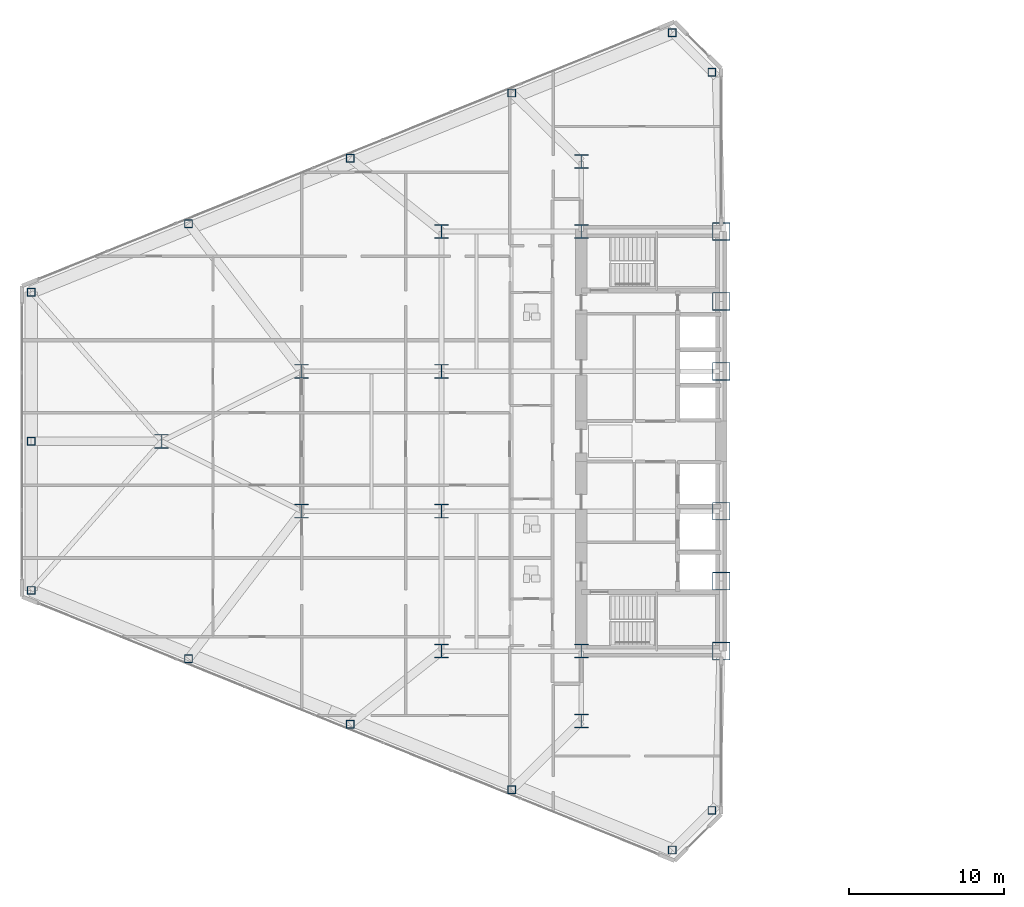
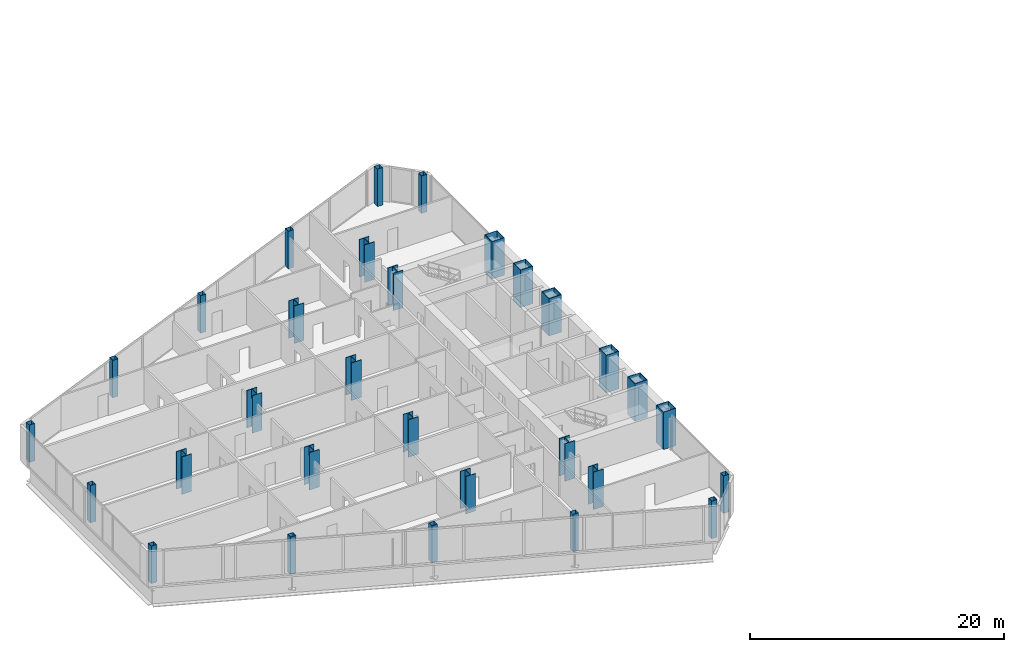
# One storey, part 1 of 26: 30 columns.
"""IFC4 building model written with IfcOpenShell, lengths in metres."""

from ifc_helpers import new_model, si_unit, direction, frame, origin, origin_2d, place, context, subcontext, project, spatial, hollow_rectangle, i_section, extrude, source, transform, mapped, material, material_profile, profile_set, type_object, type_shapes, element, save


model = new_model("IFC4")

# Units and contexts
model_context = context("Model", 3, precision=1e-05, world=origin(), true_north=direction((0.0, 1.0)))
body_context = subcontext(model_context, "Body", "Model", "MODEL_VIEW")
ifc_project = project(units=[si_unit("LENGTHUNIT", "METRE"), si_unit("AREAUNIT", "SQUARE_METRE"), si_unit("VOLUMEUNIT", "CUBIC_METRE"), si_unit("PLANEANGLEUNIT", "RADIAN"), si_unit("MASSUNIT", "GRAM", prefix="KILO")], contexts=[model_context])

# Site, building, storey
site_placement = place(None, origin())
site = spatial("IfcSite", under=ifc_project, at=site_placement, CompositionType="ELEMENT")
building_placement = place(site_placement, origin())
building = spatial("IfcBuilding", under=site, at=building_placement, Name="Seokmaru Belvedere", CompositionType="ELEMENT")
storey_placement = place(building_placement, frame((0.0, 0.0, 18.89990234375)))
storey = spatial("IfcBuildingStorey", under=building, at=storey_placement, Name="L04", CompositionType="ELEMENT", Elevation=18.89990234375)

# Columns
ifc_material_1 = material(Name="Steel HSA650 (650 MPa)", Category="steel")
ifc_material_profile_1 = material_profile(ifc_material_1, hollow_rectangle(XDim=1.14990234375, YDim=1.14990234375, WallThickness=0.048095703125, at=origin_2d()), Name="BOX-1150x1150x48")
ifc_profile_set_1 = profile_set([ifc_material_profile_1], Name="Steel HSA650 (650 MPa)")
column_type_1 = type_object("IfcColumnType", Name="Portal Spine Column BOX-1150", PredefinedType="COLUMN", material=ifc_profile_set_1)
shared_shape_1 = source(origin(), body_context, "Body", "SweptSolid", [
    extrude(hollow_rectangle(XDim=1.14990234375, YDim=1.14990234375, WallThickness=0.048095703125, at=origin_2d()), origin(), (0.0, 0.0, 1.0), 3.60009765625),
])
type_shapes(column_type_1, [shared_shape_1])
for number, where, z_axis, x_axis, name in (
    (1, (-27.5, -13.5, 0.0), (0.0, 0.0, 1.0), (1.0, 0.0, 0.0), "L04 Column WS1"),
    (2, (-27.5, -9.0, 0.0), (0.0, 0.0, 1.0), (1.0, 0.0, 0.0), "L04 Column WS2"),
    (3, (-27.5, -4.5, 0.0), (0.0, 0.0, 1.0), (1.0, 0.0, 0.0), "L04 Column WS3"),
    (4, (-27.5, 4.5, 0.0), (0.0, 0.0, 1.0), (1.0, 0.0, 0.0), "L04 Column WS4"),
    (5, (-27.5, 9.0, 0.0), (0.0, 0.0, 1.0), (1.0, 0.0, 0.0), "L04 Column WS5"),
    (6, (-27.5, 13.5, 0.0), (0.0, 0.0, 1.0), (1.0, 0.0, 0.0), "L04 Column WS6"),
):
    element("IfcColumn", number, at=place(storey_placement, frame(where, z_axis=z_axis, x_axis=x_axis)), inside=storey, type_object=column_type_1, Name=name, PredefinedType="COLUMN", context=body_context, shape_type="MappedRepresentation", body=[
        mapped(shared_shape_1, transform((0.0, 0.0, 0.0), scale=1.0)),
    ])
ifc_material_profile_2 = material_profile(ifc_material_1, i_section(OverallWidth=0.89990234375, OverallDepth=0.89990234375, WebThickness=0.035888671875, FlangeThickness=0.054931640625, at=origin_2d()), Name="H-900x900x36x55")
ifc_profile_set_2 = profile_set([ifc_material_profile_2], Name="Steel HSA650 (650 MPa)")
column_type_2 = type_object("IfcColumnType", Name="Lower Interior Column H-900", PredefinedType="COLUMN", material=ifc_profile_set_2)
shared_shape_2 = source(origin(), body_context, "Body", "SweptSolid", [
    extrude(i_section(OverallWidth=0.89990234375, OverallDepth=0.89990234375, WebThickness=0.035888671875, FlangeThickness=0.054931640625, at=origin_2d()), origin(), (0.0, 0.0, 1.0), 3.60009765625),
])
type_shapes(column_type_2, [shared_shape_2])
for number, where, z_axis, x_axis, name in (
    (7, (-36.5, -18.0, 0.0), (0.0, 0.0, 1.0), (1.0, 0.0, 0.0), "L04 Column WC1"),
    (8, (-36.5, -13.5, 0.0), (0.0, 0.0, 1.0), (1.0, 0.0, 0.0), "L04 Column WC2"),
    (9, (-36.5, 13.5, 0.0), (0.0, 0.0, 1.0), (1.0, 0.0, 0.0), "L04 Column WC3"),
    (10, (-36.5, 18.0, 0.0), (0.0, 0.0, 1.0), (1.0, 0.0, 0.0), "L04 Column WC4"),
    (11, (-45.5, -13.5, 0.0), (0.0, 0.0, 1.0), (1.0, 0.0, 0.0), "L04 Column WG5_1"),
    (12, (-45.5, -4.5, 0.0), (0.0, 0.0, 1.0), (1.0, 0.0, 0.0), "L04 Column WG5_2"),
    (13, (-45.5, 4.5, 0.0), (0.0, 0.0, 1.0), (1.0, 0.0, 0.0), "L04 Column WG5_3"),
    (14, (-45.5, 13.5, 0.0), (0.0, 0.0, 1.0), (1.0, 0.0, 0.0), "L04 Column WG5_4"),
    (15, (-54.5, -4.5, 0.0), (0.0, 0.0, 1.0), (1.0, 0.0, 0.0), "L04 Column WG4P_1"),
    (16, (-54.5, 4.5, 0.0), (0.0, 0.0, 1.0), (1.0, 0.0, 0.0), "L04 Column WG4P_2"),
    (17, (-63.5, 0.0, 0.0), (0.0, 0.0, 1.0), (1.0, 0.0, 0.0), "L04 Column WG3P_1"),
):
    element("IfcColumn", number, at=place(storey_placement, frame(where, z_axis=z_axis, x_axis=x_axis)), inside=storey, type_object=column_type_2, Name=name, PredefinedType="COLUMN", context=body_context, shape_type="MappedRepresentation", body=[
        mapped(shared_shape_2, transform((0.0, 0.0, 0.0), scale=1.0)),
    ])
ifc_material_2 = material(Name="Steel SM355 (355 MPa)", Category="steel")
ifc_material_profile_3 = material_profile(ifc_material_2, hollow_rectangle(XDim=0.5, YDim=0.5, WallThickness=0.02001953125, at=origin_2d()), Name="HSS-500x500x20")
ifc_profile_set_3 = profile_set([ifc_material_profile_3], Name="Steel SM355 (355 MPa)")
column_type_3 = type_object("IfcColumnType", Name="Perimeter Facet Column HSS-500", PredefinedType="COLUMN", material=ifc_profile_set_3)
shared_shape_3 = source(origin(), body_context, "Body", "SweptSolid", [
    extrude(hollow_rectangle(XDim=0.5, YDim=0.5, WallThickness=0.02001953125, at=origin_2d()), origin(), (0.0, 0.0, 1.0), 3.60009765625),
])
type_shapes(column_type_3, [shared_shape_3])
for number, where, z_axis, x_axis, name in (
    (18, (-28.10009765625, -23.75146484375, 0.0), (0.0, 0.0, 1.0), (1.0, 0.0, 0.0), "L04 Column WF1"),
    (19, (-28.10009765625, 23.75146484375, 0.0), (0.0, 0.0, 1.0), (1.0, 0.0, 0.0), "L04 Column WF2"),
    (20, (-30.643310546875, 26.294677734375, 0.0), (0.0, 0.0, 1.0), (1.0, 0.0, 0.0), "L04 Column WF3"),
    (21, (-71.89990234375, 9.595703125, 0.0), (0.0, 0.0, 1.0), (1.0, 0.0, 0.0), "L04 Column WF4"),
    (22, (-71.89990234375, -9.595703125, 0.0), (0.0, 0.0, 1.0), (1.0, 0.0, 0.0), "L04 Column WF5"),
    (23, (-30.643310546875, -26.294677734375, 0.0), (0.0, 0.0, 1.0), (1.0, 0.0, 0.0), "L04 Column WF6"),
    (24, (-40.977294921875, -22.4140625, 0.0), (0.0, 0.0, 1.0), (1.0, 0.0, 0.0), "L04 Column WFLK_S1"),
    (25, (-51.378173828125, -18.2041015625, 0.0), (0.0, 0.0, 1.0), (1.0, 0.0, 0.0), "L04 Column WFLK_S2"),
    (26, (-61.779052734375, -13.994140625, 0.0), (0.0, 0.0, 1.0), (1.0, 0.0, 0.0), "L04 Column WFLK_S3"),
    (27, (-40.977294921875, 22.4140625, 0.0), (0.0, 0.0, 1.0), (1.0, 0.0, 0.0), "L04 Column WFLK_N1"),
    (28, (-51.378173828125, 18.2041015625, 0.0), (0.0, 0.0, 1.0), (1.0, 0.0, 0.0), "L04 Column WFLK_N2"),
    (29, (-61.779052734375, 13.994140625, 0.0), (0.0, 0.0, 1.0), (1.0, 0.0, 0.0), "L04 Column WFLK_N3"),
    (30, (-71.89990234375, 0.0, 0.0), (0.0, 0.0, 1.0), (1.0, 0.0, 0.0), "L04 Column WF_APXM"),
):
    element("IfcColumn", number, at=place(storey_placement, frame(where, z_axis=z_axis, x_axis=x_axis)), inside=storey, type_object=column_type_3, Name=name, PredefinedType="COLUMN", context=body_context, shape_type="MappedRepresentation", body=[
        mapped(shared_shape_3, transform((0.0, 0.0, 0.0), scale=1.0)),
    ])

save(model, "model.ifc")
